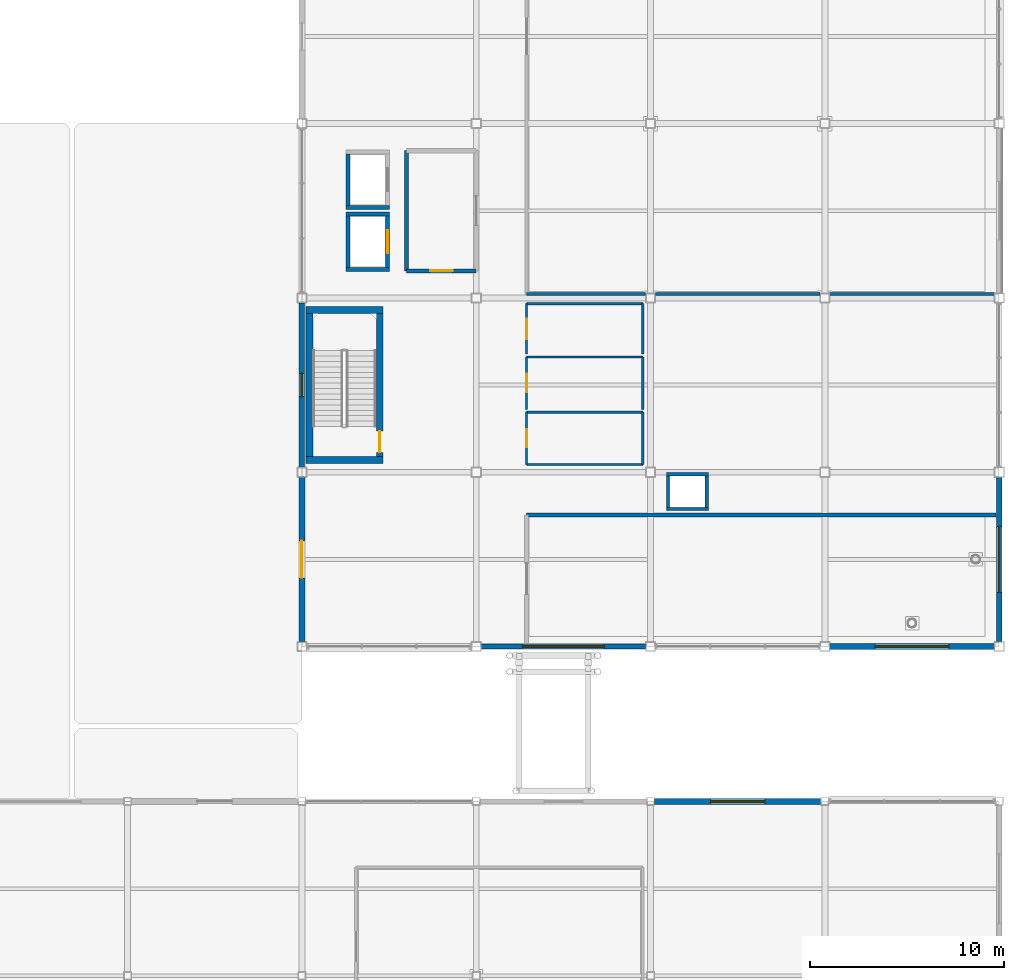
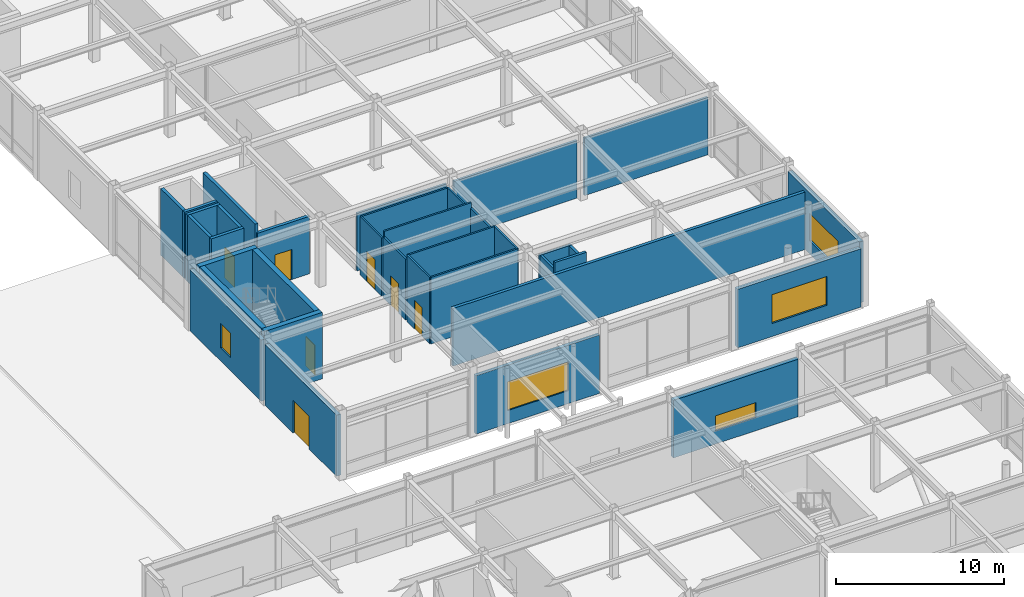
# One storey, part 92 of 123: 36 walls, 7 doors, 5 windows, 12 openings.
"""IFC4 building model written with IfcOpenShell, lengths in metres."""

from ifc_helpers import new_model, si_unit, direction, frame, frame_2d, origin, place, context, subcontext, project, spatial, rectangle, extrude, material, layer, layer_set, type_object, element, fill, save


model = new_model("IFC4")

# Units and contexts
model_context = context("Model", 3, precision=1e-05, world=origin(), true_north=direction((0.0, 1.0)))
body_context = subcontext(model_context, "Body", "Model", "MODEL_VIEW")
ifc_project = project(units=[si_unit("LENGTHUNIT", "METRE"), si_unit("AREAUNIT", "SQUARE_METRE"), si_unit("VOLUMEUNIT", "CUBIC_METRE"), si_unit("PLANEANGLEUNIT", "RADIAN"), si_unit("MASSUNIT", "GRAM", prefix="KILO")], contexts=[model_context])

# Site, building, storey
site_placement = place(None, origin())
site = spatial("IfcSite", under=ifc_project, at=site_placement, CompositionType="ELEMENT")
building_placement = place(site_placement, origin())
building = spatial("IfcBuilding", under=site, at=building_placement, Name="Suzunagisa Mobility Hub", CompositionType="ELEMENT")
storey_placement = place(building_placement, origin())
storey = spatial("IfcBuildingStorey", under=building, at=storey_placement, Name="L00", CompositionType="ELEMENT", Elevation=0.0)

# Wall, opening, window
ifc_material_1 = material(Name="Lightweight Insulated Autoclaved Concrete C30/37 Wall", Category="concrete")
ifc_layer_1 = layer(ifc_material_1, 0.239990234375)
ifc_layer_set_1 = layer_set([ifc_layer_1], Name="Lightweight Insulated Autoclaved Concrete C30/37 Wall")
wall_type_1 = type_object("IfcWallType", Name="Exterior Wall EW-04 240mm", PredefinedType="SOLIDWALL", material=ifc_layer_set_1)
wall_1_placement = place(storey_placement, frame((153.25, 44.0, 0.0), z_axis=(0.0, 0.0, 1.0), x_axis=(1.0, 0.0, 0.0)))
wall_1 = element("IfcWall", 1, at=wall_1_placement, inside=storey, type_object=wall_type_1, Name="L00 Exterior Facade Wall EW-347", PredefinedType="SOLIDWALL", context=body_context, shape_type="SweptSolid", body=[
    extrude(rectangle(XDim=8.5, YDim=0.239990234375, at=frame_2d((4.25, 0.0))), origin(), (0.0, 0.0, 1.0), 4.251953125),
])
opening_1_placement = place(wall_1_placement, frame((2.14990234375, 0.0, 0.949951171875)))
opening_1 = element("IfcOpeningElement", 2, at=opening_1_placement, cuts=wall_1, Name="Opening WN-16", PredefinedType="OPENING", context=body_context, shape_type="SweptSolid", body=[
    extrude(rectangle(XDim=4.199951171875, YDim=2.10009765625, at=frame_2d((2.10009765625, 1.050048828125))), frame((0.0, 0.130859375, 0.0), z_axis=(0.0, -1.0, 0.0), x_axis=(1.0, 0.0, 0.0)), (0.0, 0.0, 1.0), 0.261962890625),
])
ifc_material_2 = material(Name="Thermally Broken Anodized Aluminum and Low-E Double Glazing", Category="aluminium")
window_type_1 = type_object("IfcWindowType", Name="Aluminum Window WN-16 4200x2100", PartitioningType="SINGLE_PANEL", PredefinedType="WINDOW", material=ifc_material_2)
window_1_placement = place(opening_1_placement, origin())
window_1 = element("IfcWindow", 3, at=window_1_placement, inside=storey, type_object=window_type_1, Name="L00 Scheduled Facade Window WN-105", OverallHeight=2.10009765625, OverallWidth=4.199951171875, PartitioningType="SINGLE_PANEL", PredefinedType="WINDOW", context=body_context, shape_type="SweptSolid", body=[
    extrude(rectangle(XDim=4.199951171875, YDim=2.10009765625, at=frame_2d((2.10009765625, 1.050048828125))), frame((0.0, 0.030029296875, 0.0), z_axis=(0.0, -1.0, 0.0), x_axis=(1.0, 0.0, 0.0)), (0.0, 0.0, 1.0), 0.06005859375),
])
fill(opening_1, window_1)

ifc_material_3 = material(Name="Porcelain-Faced Insulated Concrete C30/37 Wall", Category="concrete")
ifc_layer_2 = layer(ifc_material_3, 0.280029296875)
ifc_layer_set_2 = layer_set([ifc_layer_2], Name="Porcelain-Faced Insulated Concrete C30/37 Wall")
wall_type_2 = type_object("IfcWallType", Name="Exterior Wall EW-08 280mm", PredefinedType="SOLIDWALL", material=ifc_layer_set_2)
wall_2_placement = place(storey_placement, frame((180.0, 44.25, 0.0), z_axis=(0.0, 0.0, 1.0), x_axis=(0.0, 1.0, 0.0)))
wall_2 = element("IfcWall", 4, at=wall_2_placement, inside=storey, type_object=wall_type_2, Name="L00 Exterior Facade Wall EW-349", PredefinedType="SOLIDWALL", context=body_context, shape_type="SweptSolid", body=[
    extrude(rectangle(XDim=8.5, YDim=0.280029296875, at=frame_2d((4.25, 0.0))), origin(), (0.0, 0.0, 1.0), 4.43994140625),
])
opening_2_placement = place(wall_2_placement, frame((2.550048828125, 0.0, 0.949951171875)))
opening_2 = element("IfcOpeningElement", 5, at=opening_2_placement, cuts=wall_2, Name="Opening WN-06", PredefinedType="OPENING", context=body_context, shape_type="SweptSolid", body=[
    extrude(rectangle(XDim=3.39990234375, YDim=2.0, at=frame_2d((1.699951171875, 1.0))), frame((0.0, 0.15087890625, 0.0), z_axis=(0.0, -1.0, 0.0), x_axis=(1.0, 0.0, 0.0)), (0.0, 0.0, 1.0), 0.302001953125),
])
window_type_2 = type_object("IfcWindowType", Name="Aluminum Window WN-06 3400x2000", PartitioningType="SINGLE_PANEL", PredefinedType="WINDOW", material=ifc_material_2)
window_2_placement = place(opening_2_placement, origin())
window_2 = element("IfcWindow", 6, at=window_2_placement, inside=storey, type_object=window_type_2, Name="L00 Scheduled Facade Window WN-107", OverallHeight=2.0, OverallWidth=3.39990234375, PartitioningType="SINGLE_PANEL", PredefinedType="WINDOW", context=body_context, shape_type="SweptSolid", body=[
    extrude(rectangle(XDim=3.39990234375, YDim=2.0, at=frame_2d((1.699951171875, 1.0))), frame((0.0, 0.030029296875, 0.0), z_axis=(0.0, -1.0, 0.0), x_axis=(1.0, 0.0, 0.0)), (0.0, 0.0, 1.0), 0.06005859375),
])
fill(opening_2, window_2)

wall_3_placement = place(storey_placement, frame((144.0, 61.75, 0.0), z_axis=(0.0, 0.0, 1.0), x_axis=(0.0, -1.0, 0.0)))
wall_3 = element("IfcWall", 7, at=wall_3_placement, inside=storey, type_object=wall_type_2, Name="L00 Exterior Facade Wall EW-357", PredefinedType="SOLIDWALL", context=body_context, shape_type="SweptSolid", body=[
    extrude(rectangle(XDim=8.5, YDim=0.280029296875, at=frame_2d((4.25, 0.0))), origin(), (0.0, 0.0, 1.0), 4.449951171875),
])
opening_3_placement = place(wall_3_placement, frame((3.64990234375, 0.0, 0.949951171875)))
opening_3 = element("IfcOpeningElement", 8, at=opening_3_placement, cuts=wall_3, Name="Opening WN-10", PredefinedType="OPENING", context=body_context, shape_type="SweptSolid", body=[
    extrude(rectangle(XDim=1.199951171875, YDim=1.800048828125, at=frame_2d((0.60009765625, 0.89990234375))), frame((0.0, 0.15087890625, 0.0), z_axis=(0.0, -1.0, 0.0), x_axis=(1.0, 0.0, 0.0)), (0.0, 0.0, 1.0), 0.302001953125),
])
window_type_3 = type_object("IfcWindowType", Name="Aluminum Window WN-10 1200x1800", PartitioningType="SINGLE_PANEL", PredefinedType="WINDOW", material=ifc_material_2)
window_3_placement = place(opening_3_placement, origin())
window_3 = element("IfcWindow", 9, at=window_3_placement, inside=storey, type_object=window_type_3, Name="L00 Scheduled Facade Window WN-114", OverallHeight=1.800048828125, OverallWidth=1.199951171875, PartitioningType="SINGLE_PANEL", PredefinedType="WINDOW", context=body_context, shape_type="SweptSolid", body=[
    extrude(rectangle(XDim=1.199951171875, YDim=1.800048828125, at=frame_2d((0.60009765625, 0.89990234375))), frame((0.0, 0.030029296875, 0.0), z_axis=(0.0, -1.0, 0.0), x_axis=(1.0, 0.0, 0.0)), (0.0, 0.0, 1.0), 0.06005859375),
])
fill(opening_3, window_3)

ifc_material_4 = material(Name="Insulated Precast Concrete C35/45 Panel", Category="concrete")
ifc_layer_3 = layer(ifc_material_4, 0.300048828125)
ifc_layer_set_3 = layer_set([ifc_layer_3], Name="Insulated Precast Concrete C35/45 Panel")
wall_type_3 = type_object("IfcWallType", Name="Exterior Wall EW-09 300mm", PredefinedType="SOLIDWALL", material=ifc_layer_set_3)
wall_4_placement = place(storey_placement, frame((170.800048828125, 36.0, 0.0), z_axis=(0.0, 0.0, 1.0), x_axis=(-1.0, 0.0, 0.0)))
wall_4 = element("IfcWall", 10, at=wall_4_placement, inside=storey, type_object=wall_type_3, Name="L00 Exterior Facade Wall EW-288", PredefinedType="SOLIDWALL", context=body_context, shape_type="SweptSolid", body=[
    extrude(rectangle(XDim=8.60009765625, YDim=0.300048828125, at=frame_2d((4.300048828125, 0.0))), origin(), (0.0, 0.0, 1.0), 4.18994140625),
])
opening_4_placement = place(wall_4_placement, frame((2.89990234375, 0.0, 0.949951171875)))
opening_4 = element("IfcOpeningElement", 11, at=opening_4_placement, cuts=wall_4, Name="Opening WN-01", PredefinedType="OPENING", context=body_context, shape_type="SweptSolid", body=[
    extrude(rectangle(XDim=2.800048828125, YDim=1.10009765625, at=frame_2d((1.39990234375, 0.550048828125))), frame((0.0, 0.1611328125, 0.0), z_axis=(0.0, -1.0, 0.0), x_axis=(1.0, 0.0, 0.0)), (0.0, 0.0, 1.0), 0.322021484375),
])
window_type_4 = type_object("IfcWindowType", Name="Aluminum Window WN-01 2800x1100", PartitioningType="SINGLE_PANEL", PredefinedType="WINDOW", material=ifc_material_2)
window_4_placement = place(opening_4_placement, origin())
window_4 = element("IfcWindow", 12, at=window_4_placement, inside=storey, type_object=window_type_4, Name="L00 Scheduled Facade Window WN-95", OverallHeight=1.10009765625, OverallWidth=2.800048828125, PartitioningType="SINGLE_PANEL", PredefinedType="WINDOW", context=body_context, shape_type="SweptSolid", body=[
    extrude(rectangle(XDim=2.800048828125, YDim=1.10009765625, at=frame_2d((1.39990234375, 0.550048828125))), frame((0.0, 0.030029296875, 0.0), z_axis=(0.0, -1.0, 0.0), x_axis=(1.0, 0.0, 0.0)), (0.0, 0.0, 1.0), 0.06005859375),
])
fill(opening_4, window_4)

wall_5_placement = place(storey_placement, frame((171.25, 44.0, 0.0), z_axis=(0.0, 0.0, 1.0), x_axis=(1.0, 0.0, 0.0)))
wall_5 = element("IfcWall", 13, at=wall_5_placement, inside=storey, type_object=wall_type_3, Name="L00 Exterior Facade Wall EW-348", PredefinedType="SOLIDWALL", context=body_context, shape_type="SweptSolid", body=[
    extrude(rectangle(XDim=8.5, YDim=0.300048828125, at=frame_2d((4.25, 0.0))), origin(), (0.0, 0.0, 1.0), 4.251953125),
])
opening_5_placement = place(wall_5_placement, frame((2.35009765625, 0.0, 0.949951171875)))
opening_5 = element("IfcOpeningElement", 14, at=opening_5_placement, cuts=wall_5, Name="Opening WN-18", PredefinedType="OPENING", context=body_context, shape_type="SweptSolid", body=[
    extrude(rectangle(XDim=3.800048828125, YDim=2.10009765625, at=frame_2d((1.89990234375, 1.050048828125))), frame((0.0, 0.1611328125, 0.0), z_axis=(0.0, -1.0, 0.0), x_axis=(1.0, 0.0, 0.0)), (0.0, 0.0, 1.0), 0.322021484375),
])
window_type_5 = type_object("IfcWindowType", Name="Aluminum Window WN-18 3800x2100", PartitioningType="SINGLE_PANEL", PredefinedType="WINDOW", material=ifc_material_2)
window_5_placement = place(opening_5_placement, origin())
window_5 = element("IfcWindow", 15, at=window_5_placement, inside=storey, type_object=window_type_5, Name="L00 Scheduled Facade Window WN-106", OverallHeight=2.10009765625, OverallWidth=3.800048828125, PartitioningType="SINGLE_PANEL", PredefinedType="WINDOW", context=body_context, shape_type="SweptSolid", body=[
    extrude(rectangle(XDim=3.800048828125, YDim=2.10009765625, at=frame_2d((1.89990234375, 1.050048828125))), frame((0.0, 0.030029296875, 0.0), z_axis=(0.0, -1.0, 0.0), x_axis=(1.0, 0.0, 0.0)), (0.0, 0.0, 1.0), 0.06005859375),
])
fill(opening_5, window_5)

# Wall, opening, door
wall_6_placement = place(storey_placement, frame((144.0, 52.75, 0.0), z_axis=(0.0, 0.0, 1.0), x_axis=(0.0, -1.0, 0.0)))
wall_6 = element("IfcWall", 16, at=wall_6_placement, inside=storey, type_object=wall_type_3, Name="L00 Entrance Portal Wall 358", PredefinedType="SOLIDWALL", context=body_context, shape_type="SweptSolid", body=[
    extrude(rectangle(XDim=8.5, YDim=0.300048828125, at=frame_2d((4.25, 0.0))), origin(), (0.0, 0.0, 1.0), 4.43994140625),
])
opening_6_placement = place(wall_6_placement, frame((5.199951171875, 0.0, 0.0), z_axis=(0.0, 0.0, 1.0), x_axis=(-1.0, 0.0, 0.0)))
opening_6 = element("IfcOpeningElement", 17, at=opening_6_placement, cuts=wall_6, Name="Opening ED-07", PredefinedType="OPENING", context=body_context, shape_type="SweptSolid", body=[
    extrude(rectangle(XDim=1.89990234375, YDim=2.39990234375, at=frame_2d((0.949951171875, 1.199951171875))), frame((0.0, 0.1611328125, 0.0), z_axis=(0.0, -1.0, 0.0), x_axis=(1.0, 0.0, 0.0)), (0.0, 0.0, 1.0), 0.322021484375),
])
ifc_material_5 = material(Name="Anodized Aluminum and Tempered Safety Glass", Category="aluminium")
door_type_1 = type_object("IfcDoorType", Name="Exterior Glazed Aluminum Door ED-07 1900x2400", OperationType="DOUBLE_DOOR_SINGLE_SWING", PredefinedType="DOOR", material=ifc_material_5)
door_1_placement = place(opening_6_placement, origin())
door_1 = element("IfcDoor", 18, at=door_1_placement, inside=storey, type_object=door_type_1, Name="L00 Pedestrian Final Exit Door EX-36", OperationType="SINGLE_SWING_LEFT", OverallHeight=2.39990234375, OverallWidth=1.89990234375, PredefinedType="DOOR", context=body_context, shape_type="SweptSolid", body=[
    extrude(rectangle(XDim=1.89990234375, YDim=2.39990234375, at=frame_2d((0.949951171875, 1.199951171875))), frame((0.0, 0.02490234375, 0.0), z_axis=(0.0, -1.0, 0.0), x_axis=(1.0, 0.0, 0.0)), (0.0, 0.0, 1.0), 0.050048828125),
])
fill(opening_6, door_1)

# Walls
ifc_material_6 = material(Name="Moisture-Resistant Gypsum Partition", Category="gypsum")
ifc_layer_4 = layer(ifc_material_6, 0.1201171875)
ifc_layer_set_4 = layer_set([ifc_layer_4], Name="Moisture-Resistant Gypsum Partition")
wall_type_4 = type_object("IfcWallType", Name="Interior Wall IW-02 120mm", PredefinedType="PARTITIONING", material=ifc_layer_set_4)
for number, where, z_axis, x_axis, name in (
    (19, (155.60009765625, 53.39990234375, 0.0), (0.0, 0.0, 1.0), (1.0, 0.0, 0.0), "L00 Male Restroom WC L00 Partition PW-575"),
    (20, (155.60009765625, 56.10009765625, 0.0), (0.0, 0.0, 1.0), (1.0, 0.0, 0.0), "L00 Male Restroom WC L00 Partition PW-576"),
):
    element("IfcWall", number, at=place(storey_placement, frame(where, z_axis=z_axis, x_axis=x_axis)), inside=storey, type_object=wall_type_4, Name=name, PredefinedType="PARTITIONING", context=body_context, shape_type="SweptSolid", body=[
        extrude(rectangle(XDim=6.0, YDim=0.1201171875, at=frame_2d((3.0, 0.0))), origin(), (0.0, 0.0, 1.0), 4.840087890625),
    ])

# Wall, opening, door
wall_7_placement = place(storey_placement, frame((155.60009765625, 53.39990234375, 0.0), z_axis=(0.0, 0.0, 1.0), x_axis=(0.0, 1.0, 0.0)))
wall_7 = element("IfcWall", 21, at=wall_7_placement, inside=storey, type_object=wall_type_4, Name="L00 Male Restroom WC L00 Partition PW-577", PredefinedType="PARTITIONING", context=body_context, shape_type="SweptSolid", body=[
    extrude(rectangle(XDim=2.7001953125, YDim=0.1201171875, at=frame_2d((1.35009765625, 0.0))), origin(), (0.0, 0.0, 1.0), 4.840087890625),
])
opening_7_placement = place(wall_7_placement, frame((0.889892578125, 0.0, 0.0)))
opening_7 = element("IfcOpeningElement", 22, at=opening_7_placement, cuts=wall_7, Name="Opening DR-02", PredefinedType="OPENING", context=body_context, shape_type="SweptSolid", body=[
    extrude(rectangle(XDim=0.919921875, YDim=2.10009765625, at=frame_2d((0.4599609375, 1.050048828125))), frame((0.0, 0.071044921875, 0.0), z_axis=(0.0, -1.0, 0.0), x_axis=(1.0, 0.0, 0.0)), (0.0, 0.0, 1.0), 0.14208984375),
])
ifc_material_7 = material(Name="Sanitary Restroom Laminate Door")
door_type_2 = type_object("IfcDoorType", Name="Interior Door DR-02 920x2100", OperationType="SINGLE_SWING_LEFT", PredefinedType="DOOR", material=ifc_material_7)
door_2_placement = place(opening_7_placement, origin())
door_2 = element("IfcDoor", 23, at=door_2_placement, inside=storey, type_object=door_type_2, Name="L00 Male Restroom WC L00 Door DR-140", OperationType="SINGLE_SWING_LEFT", OverallHeight=2.10009765625, OverallWidth=0.919921875, PredefinedType="DOOR", context=body_context, shape_type="SweptSolid", body=[
    extrude(rectangle(XDim=0.919921875, YDim=2.10009765625, at=frame_2d((0.4599609375, 1.050048828125))), frame((0.0, 0.02490234375, 0.0), z_axis=(0.0, -1.0, 0.0), x_axis=(1.0, 0.0, 0.0)), (0.0, 0.0, 1.0), 0.050048828125),
])
fill(opening_7, door_2)

# Walls
wall_8_placement = place(storey_placement, frame((161.60009765625, 53.39990234375, 0.0), z_axis=(0.0, 0.0, 1.0), x_axis=(0.0, 1.0, 0.0)))
element("IfcWall", 24, at=wall_8_placement, inside=storey, type_object=wall_type_4, Name="L00 Male Restroom WC L00 Partition PW-578", PredefinedType="PARTITIONING", context=body_context, shape_type="SweptSolid", body=[
    extrude(rectangle(XDim=2.7001953125, YDim=0.1201171875, at=frame_2d((1.35009765625, 0.0))), origin(), (0.0, 0.0, 1.0), 4.840087890625),
])
wall_9_placement = place(storey_placement, frame((155.60009765625, 58.949951171875, 0.0), z_axis=(0.0, 0.0, 1.0), x_axis=(1.0, 0.0, 0.0)))
element("IfcWall", 25, at=wall_9_placement, inside=storey, type_object=wall_type_4, Name="L00 Female Restroom WC L00 Partition PW-579", PredefinedType="PARTITIONING", context=body_context, shape_type="SweptSolid", body=[
    extrude(rectangle(XDim=6.0, YDim=0.1201171875, at=frame_2d((3.0, 0.0))), origin(), (0.0, 0.0, 1.0), 4.840087890625),
])

# Wall, opening, door
wall_10_placement = place(storey_placement, frame((155.60009765625, 56.25, 0.0), z_axis=(0.0, 0.0, 1.0), x_axis=(0.0, 1.0, 0.0)))
wall_10 = element("IfcWall", 26, at=wall_10_placement, inside=storey, type_object=wall_type_4, Name="L00 Female Restroom WC L00 Partition PW-580", PredefinedType="PARTITIONING", context=body_context, shape_type="SweptSolid", body=[
    extrude(rectangle(XDim=2.699951171875, YDim=0.1201171875, at=frame_2d((1.35009765625, 0.0))), origin(), (0.0, 0.0, 1.0), 4.43994140625),
])
opening_8_placement = place(wall_10_placement, frame((0.875, 0.0, 0.0)))
opening_8 = element("IfcOpeningElement", 27, at=opening_8_placement, cuts=wall_10, Name="Opening DR-19", PredefinedType="OPENING", context=body_context, shape_type="SweptSolid", body=[
    extrude(rectangle(XDim=0.949951171875, YDim=2.14990234375, at=frame_2d((0.47509765625, 1.074951171875))), frame((0.0, 0.071044921875, 0.0), z_axis=(0.0, -1.0, 0.0), x_axis=(1.0, 0.0, 0.0)), (0.0, 0.0, 1.0), 0.14208984375),
])
ifc_material_8 = material(Name="Sanitary Restroom Acoustic Door")
door_type_3 = type_object("IfcDoorType", Name="Interior Door DR-19 950x2150", OperationType="SINGLE_SWING_LEFT", PredefinedType="DOOR", material=ifc_material_8)
door_3_placement = place(opening_8_placement, origin())
door_3 = element("IfcDoor", 28, at=door_3_placement, inside=storey, type_object=door_type_3, Name="L00 Female Restroom WC L00 Door DR-141", OperationType="SINGLE_SWING_RIGHT", OverallHeight=2.14990234375, OverallWidth=0.949951171875, PredefinedType="DOOR", context=body_context, shape_type="SweptSolid", body=[
    extrude(rectangle(XDim=0.949951171875, YDim=2.14990234375, at=frame_2d((0.47509765625, 1.074951171875))), frame((0.0, 0.02490234375, 0.0), z_axis=(0.0, -1.0, 0.0), x_axis=(1.0, 0.0, 0.0)), (0.0, 0.0, 1.0), 0.050048828125),
])
fill(opening_8, door_3)

# Walls
wall_11_placement = place(storey_placement, frame((161.60009765625, 56.25, 0.0), z_axis=(0.0, 0.0, 1.0), x_axis=(0.0, 1.0, 0.0)))
element("IfcWall", 29, at=wall_11_placement, inside=storey, type_object=wall_type_4, Name="L00 Female Restroom WC L00 Partition PW-581", PredefinedType="PARTITIONING", context=body_context, shape_type="SweptSolid", body=[
    extrude(rectangle(XDim=2.699951171875, YDim=0.1201171875, at=frame_2d((1.35009765625, 0.0))), origin(), (0.0, 0.0, 1.0), 4.43994140625),
])
wall_12_placement = place(storey_placement, frame((155.60009765625, 61.699951171875, 0.0), z_axis=(0.0, 0.0, 1.0), x_axis=(1.0, 0.0, 0.0)))
element("IfcWall", 30, at=wall_12_placement, inside=storey, type_object=wall_type_4, Name="L00 Accessible Restroom WC L00 Partition PW-582", PredefinedType="PARTITIONING", context=body_context, shape_type="SweptSolid", body=[
    extrude(rectangle(XDim=6.0, YDim=0.1201171875, at=frame_2d((3.0, 0.0))), origin(), (0.0, 0.0, 1.0), 4.251953125),
])

# Wall, opening, door
wall_13_placement = place(storey_placement, frame((155.60009765625, 59.10009765625, 0.0), z_axis=(0.0, 0.0, 1.0), x_axis=(0.0, 1.0, 0.0)))
wall_13 = element("IfcWall", 31, at=wall_13_placement, inside=storey, type_object=wall_type_4, Name="L00 Accessible Restroom WC L00 Partition PW-583", PredefinedType="PARTITIONING", context=body_context, shape_type="SweptSolid", body=[
    extrude(rectangle(XDim=2.599853515625, YDim=0.1201171875, at=frame_2d((1.2998046875, 0.0))), origin(), (0.0, 0.0, 1.0), 4.251953125),
])
opening_9_placement = place(wall_13_placement, frame((0.77490234375, 0.0, 0.0)))
opening_9 = element("IfcOpeningElement", 32, at=opening_9_placement, cuts=wall_13, Name="Opening DR-16", PredefinedType="OPENING", context=body_context, shape_type="SweptSolid", body=[
    extrude(rectangle(XDim=1.050048828125, YDim=2.199951171875, at=frame_2d((0.52490234375, 1.10009765625))), frame((0.0, 0.071044921875, 0.0), z_axis=(0.0, -1.0, 0.0), x_axis=(1.0, 0.0, 0.0)), (0.0, 0.0, 1.0), 0.14208984375),
])
ifc_material_9 = material(Name="Barrier-Free Club Accessible WC Door")
door_type_4 = type_object("IfcDoorType", Name="Interior Door DR-16 1050x2200", OperationType="SINGLE_SWING_LEFT", PredefinedType="DOOR", material=ifc_material_9)
door_4_placement = place(opening_9_placement, origin())
door_4 = element("IfcDoor", 33, at=door_4_placement, inside=storey, type_object=door_type_4, Name="L00 Accessible Restroom WC L00 Door DR-142", OperationType="SINGLE_SWING_LEFT", OverallHeight=2.199951171875, OverallWidth=1.050048828125, PredefinedType="DOOR", context=body_context, shape_type="SweptSolid", body=[
    extrude(rectangle(XDim=1.050048828125, YDim=2.199951171875, at=frame_2d((0.52490234375, 1.10009765625))), frame((0.0, 0.02490234375, 0.0), z_axis=(0.0, -1.0, 0.0), x_axis=(1.0, 0.0, 0.0)), (0.0, 0.0, 1.0), 0.050048828125),
])
fill(opening_9, door_4)

# Wall
wall_14_placement = place(storey_placement, frame((161.60009765625, 59.10009765625, 0.0), z_axis=(0.0, 0.0, 1.0), x_axis=(0.0, 1.0, 0.0)))
element("IfcWall", 34, at=wall_14_placement, inside=storey, type_object=wall_type_4, Name="L00 Accessible Restroom WC L00 Partition PW-584", PredefinedType="PARTITIONING", context=body_context, shape_type="SweptSolid", body=[
    extrude(rectangle(XDim=2.599853515625, YDim=0.1201171875, at=frame_2d((1.2998046875, 0.0))), origin(), (0.0, 0.0, 1.0), 4.251953125),
])

# Wall, opening, door
ifc_material_10 = material(Name="Fire-Rated Gypsum Stud Partition", Category="gypsum")
ifc_layer_5 = layer(ifc_material_10, 0.2099609375)
ifc_layer_set_5 = layer_set([ifc_layer_5], Name="Fire-Rated Gypsum Stud Partition")
wall_type_5 = type_object("IfcWallType", Name="Interior Wall IW-03 210mm", PredefinedType="PARTITIONING", material=ifc_layer_set_5)
wall_15_placement = place(storey_placement, frame((148.425048828125, 63.580078125, 0.0), z_axis=(0.0, 0.0, 1.0), x_axis=(0.0, 1.0, 0.0)))
wall_15 = element("IfcWall", 35, at=wall_15_placement, inside=storey, type_object=wall_type_5, Name="L00 Lift LF-05 Shaft Front Wall", PredefinedType="PARTITIONING", context=body_context, shape_type="SweptSolid", body=[
    extrude(rectangle(XDim=2.639892578125, YDim=0.2099609375, at=frame_2d((1.31982421875, 0.0))), origin(), (0.0, 0.0, 1.0), 4.840087890625),
])
opening_10_placement = place(wall_15_placement, frame((0.719970703125, 0.0, 0.0)))
opening_10 = element("IfcOpeningElement", 36, at=opening_10_placement, cuts=wall_15, Name="Opening LD-03", PredefinedType="OPENING", context=body_context, shape_type="SweptSolid", body=[
    extrude(rectangle(XDim=1.199951171875, YDim=2.199951171875, at=frame_2d((0.60009765625, 1.10009765625))), frame((0.0, 0.115966796875, 0.0), z_axis=(0.0, -1.0, 0.0), x_axis=(1.0, 0.0, 0.0)), (0.0, 0.0, 1.0), 0.23193359375),
])
ifc_material_11 = material(Name="Brushed Stainless Steel SUS304", Category="metal")
door_type_5 = type_object("IfcDoorType", Name="Lift Landing Sliding Door LD-03 1200x2200", OperationType="SLIDING_TO_LEFT", PredefinedType="DOOR", material=ifc_material_11)
door_5_placement = place(opening_10_placement, origin())
door_5 = element("IfcDoor", 37, at=door_5_placement, inside=storey, type_object=door_type_5, Name="L00 Lift LF-05 Sliding Landing Door", OperationType="SLIDING_TO_LEFT", OverallHeight=2.199951171875, OverallWidth=1.199951171875, PredefinedType="DOOR", context=body_context, shape_type="SweptSolid", body=[
    extrude(rectangle(XDim=1.199951171875, YDim=2.199951171875, at=frame_2d((0.60009765625, 1.10009765625))), frame((0.0, 0.02490234375, 0.0), z_axis=(0.0, -1.0, 0.0), x_axis=(1.0, 0.0, 0.0)), (0.0, 0.0, 1.0), 0.050048828125),
])
fill(opening_10, door_5)

# Walls
wall_16_placement = place(storey_placement, frame((146.375, 63.580078125, 0.0), z_axis=(0.0, 0.0, 1.0), x_axis=(0.0, 1.0, 0.0)))
element("IfcWall", 38, at=wall_16_placement, inside=storey, type_object=wall_type_5, Name="L00 Lift LF-05 Shaft Back Wall", PredefinedType="PARTITIONING", context=body_context, shape_type="SweptSolid", body=[
    extrude(rectangle(XDim=2.639892578125, YDim=0.2099609375, at=frame_2d((1.31982421875, 0.0))), origin(), (0.0, 0.0, 1.0), 4.840087890625),
])
for number, where, z_axis, x_axis, name in (
    (39, (146.27001953125, 63.47509765625, 0.0), (0.0, 0.0, 1.0), (1.0, 0.0, 0.0), "L00 Lift LF-05 Shaft South Wall"),
    (40, (146.27001953125, 66.324951171875, 0.0), (0.0, 0.0, 1.0), (1.0, 0.0, 0.0), "L00 Lift LF-05 Shaft North Wall"),
):
    element("IfcWall", number, at=place(storey_placement, frame(where, z_axis=z_axis, x_axis=x_axis)), inside=storey, type_object=wall_type_5, Name=name, PredefinedType="PARTITIONING", context=body_context, shape_type="SweptSolid", body=[
        extrude(rectangle(XDim=2.260009765625, YDim=0.2099609375, at=frame_2d((1.1298828125, 0.0))), origin(), (0.0, 0.0, 1.0), 4.840087890625),
    ])
wall_17_placement = place(storey_placement, frame((146.375, 66.780029296875, 0.0), z_axis=(0.0, 0.0, 1.0), x_axis=(0.0, 1.0, 0.0)))
element("IfcWall", 41, at=wall_17_placement, inside=storey, type_object=wall_type_5, Name="L00 Lift LF-06 Shaft Back Wall", PredefinedType="PARTITIONING", context=body_context, shape_type="SweptSolid", body=[
    extrude(rectangle(XDim=2.639892578125, YDim=0.2099609375, at=frame_2d((1.31982421875, 0.0))), origin(), (0.0, 0.0, 1.0), 4.840087890625),
])
wall_18_placement = place(storey_placement, frame((146.27001953125, 66.675048828125, 0.0), z_axis=(0.0, 0.0, 1.0), x_axis=(1.0, 0.0, 0.0)))
element("IfcWall", 42, at=wall_18_placement, inside=storey, type_object=wall_type_5, Name="L00 Lift LF-06 Shaft South Wall", PredefinedType="PARTITIONING", context=body_context, shape_type="SweptSolid", body=[
    extrude(rectangle(XDim=2.260009765625, YDim=0.2099609375, at=frame_2d((1.1298828125, 0.0))), origin(), (0.0, 0.0, 1.0), 4.840087890625),
])

# Wall, opening, door
wall_19_placement = place(storey_placement, frame((149.39990234375, 63.39990234375, 0.0), z_axis=(0.0, 0.0, 1.0), x_axis=(1.0, 0.0, 0.0)))
wall_19 = element("IfcWall", 43, at=wall_19_placement, inside=storey, type_object=wall_type_5, Name="L00 Firefighting Lift Lobby L00 Partition PW-537", PredefinedType="PARTITIONING", context=body_context, shape_type="SweptSolid", body=[
    extrude(rectangle(XDim=3.60009765625, YDim=0.2099609375, at=frame_2d((1.800048828125, 0.0))), origin(), (0.0, 0.0, 1.0), 4.18994140625),
])
opening_11_placement = place(wall_19_placement, frame((1.22509765625, 0.0, 0.0)))
opening_11 = element("IfcOpeningElement", 44, at=opening_11_placement, cuts=wall_19, Name="Opening DR-20", PredefinedType="OPENING", context=body_context, shape_type="SweptSolid", body=[
    extrude(rectangle(XDim=1.14990234375, YDim=2.199951171875, at=frame_2d((0.574951171875, 1.10009765625))), frame((0.0, 0.115966796875, 0.0), z_axis=(0.0, -1.0, 0.0), x_axis=(1.0, 0.0, 0.0)), (0.0, 0.0, 1.0), 0.23193359375),
])
ifc_material_12 = material(Name="Fire-Rated Hollow Steel Stair Door", Category="steel")
door_type_6 = type_object("IfcDoorType", Name="Interior Door DR-20 1150x2200", OperationType="SINGLE_SWING_LEFT", PredefinedType="DOOR", material=ifc_material_12)
door_6_placement = place(opening_11_placement, origin())
door_6 = element("IfcDoor", 45, at=door_6_placement, inside=storey, type_object=door_type_6, Name="L00 Firefighting Lobby to Escape Stair Door SD-123", OperationType="SINGLE_SWING_RIGHT", OverallHeight=2.199951171875, OverallWidth=1.14990234375, PredefinedType="DOOR", context=body_context, shape_type="SweptSolid", body=[
    extrude(rectangle(XDim=1.14990234375, YDim=2.199951171875, at=frame_2d((0.574951171875, 1.10009765625))), frame((0.0, 0.02490234375, 0.0), z_axis=(0.0, -1.0, 0.0), x_axis=(1.0, 0.0, 0.0)), (0.0, 0.0, 1.0), 0.050048828125),
])
fill(opening_11, door_6)

# Walls
wall_20_placement = place(storey_placement, frame((149.39990234375, 63.39990234375, 0.0), z_axis=(0.0, 0.0, 1.0), x_axis=(0.0, 1.0, 0.0)))
element("IfcWall", 46, at=wall_20_placement, inside=storey, type_object=wall_type_5, Name="L00 Firefighting Lift Lobby L00 Partition PW-539", PredefinedType="PARTITIONING", context=body_context, shape_type="SweptSolid", body=[
    extrude(rectangle(XDim=6.2001953125, YDim=0.2099609375, at=frame_2d((3.10009765625, 0.0))), origin(), (0.0, 0.0, 1.0), 4.840087890625),
])
wall_21_placement = place(storey_placement, frame((155.60009765625, 50.800048828125, 0.0), z_axis=(0.0, 0.0, 1.0), x_axis=(1.0, 0.0, 0.0)))
element("IfcWall", 47, at=wall_21_placement, inside=storey, type_object=wall_type_5, Name="L00 Central Fire Command and Disaster Prevention Bosai Room Partition PW-750", PredefinedType="PARTITIONING", context=body_context, shape_type="SweptSolid", body=[
    extrude(rectangle(XDim=24.23486328125, YDim=0.2099609375, at=frame_2d((12.117431640625, 0.0))), origin(), (0.0, 0.0, 1.0), 4.18994140625),
])
ifc_material_13 = material(Name="Concrete C35/45", Category="concrete")
ifc_layer_6 = layer(ifc_material_13, 0.35009765625)
ifc_layer_set_6 = layer_set([ifc_layer_6], Name="Concrete C35/45")
wall_type_6 = type_object("IfcWallType", Name="Interior Wall IW-04 350mm", PredefinedType="SHEAR", material=ifc_layer_set_6)
for number, where, z_axis, x_axis, name in (
    (48, (144.2099609375, 53.625, 0.0), (0.0, 0.0, 1.0), (1.0, 0.0, 0.0), "L00 Core C5 Shear Wall SW-377"),
    (49, (144.2099609375, 61.375, 0.0), (0.0, 0.0, 1.0), (1.0, 0.0, 0.0), "L00 Core C5 Shear Wall SW-378"),
):
    element("IfcWall", number, at=place(storey_placement, frame(where, z_axis=z_axis, x_axis=x_axis)), inside=storey, type_object=wall_type_6, Name=name, PredefinedType="SHEAR", context=body_context, shape_type="SweptSolid", body=[
        extrude(rectangle(XDim=3.97998046875, YDim=0.35009765625, at=frame_2d((1.989990234375, 0.0))), origin(), (0.0, 0.0, 1.0), 4.840087890625),
    ])
wall_22_placement = place(storey_placement, frame((144.385009765625, 53.800048828125, 0.0), z_axis=(0.0, 0.0, 1.0), x_axis=(0.0, 1.0, 0.0)))
element("IfcWall", 50, at=wall_22_placement, inside=storey, type_object=wall_type_6, Name="L00 Core C5 Shear Wall SW-379", PredefinedType="SHEAR", context=body_context, shape_type="SweptSolid", body=[
    extrude(rectangle(XDim=7.39990234375, YDim=0.35009765625, at=frame_2d((3.699951171875, 0.0))), origin(), (0.0, 0.0, 1.0), 4.840087890625),
])

# Wall, opening, door
wall_23_placement = place(storey_placement, frame((148.014892578125, 53.800048828125, 0.0), z_axis=(0.0, 0.0, 1.0), x_axis=(0.0, 1.0, 0.0)))
wall_23 = element("IfcWall", 51, at=wall_23_placement, inside=storey, type_object=wall_type_6, Name="L00 Core C5 Shear Wall SW-380", PredefinedType="SHEAR", context=body_context, shape_type="SweptSolid", body=[
    extrude(rectangle(XDim=7.39990234375, YDim=0.35009765625, at=frame_2d((3.699951171875, 0.0))), origin(), (0.0, 0.0, 1.0), 4.840087890625),
])
opening_12_placement = place(wall_23_placement, frame((0.219970703125, 0.0, 0.0)))
opening_12 = element("IfcOpeningElement", 52, at=opening_12_placement, cuts=wall_23, Name="Opening DR-05", PredefinedType="OPENING", context=body_context, shape_type="SweptSolid", body=[
    extrude(rectangle(XDim=1.10009765625, YDim=2.14990234375, at=frame_2d((0.550048828125, 1.074951171875))), frame((0.0, 0.18603515625, 0.0), z_axis=(0.0, -1.0, 0.0), x_axis=(1.0, 0.0, 0.0)), (0.0, 0.0, 1.0), 0.3720703125),
])
door_type_7 = type_object("IfcDoorType", Name="Interior Door DR-05 1100x2150", OperationType="SINGLE_SWING_LEFT", PredefinedType="DOOR", material=ifc_material_12)
door_7_placement = place(opening_12_placement, origin())
door_7 = element("IfcDoor", 53, at=door_7_placement, inside=storey, type_object=door_type_7, Name="L00 Core C5 Escape Stair Fire Door SD-92", OperationType="SINGLE_SWING_LEFT", OverallHeight=2.14990234375, OverallWidth=1.10009765625, PredefinedType="DOOR", context=body_context, shape_type="SweptSolid", body=[
    extrude(rectangle(XDim=1.10009765625, YDim=2.14990234375, at=frame_2d((0.550048828125, 1.074951171875))), frame((0.0, 0.02490234375, 0.0), z_axis=(0.0, -1.0, 0.0), x_axis=(1.0, 0.0, 0.0)), (0.0, 0.0, 1.0), 0.050048828125),
])
fill(opening_12, door_7)

# Walls
ifc_layer_7 = layer(ifc_material_10, 0.169921875)
ifc_layer_set_7 = layer_set([ifc_layer_7], Name="Fire-Rated Gypsum Stud Partition")
wall_type_7 = type_object("IfcWallType", Name="Interior Wall IW-05 170mm", PredefinedType="PARTITIONING", material=ifc_layer_set_7)
wall_24_placement = place(storey_placement, frame((162.81494140625, 51.10009765625, 0.0), z_axis=(0.0, 0.0, 1.0), x_axis=(1.0, 0.0, 0.0)))
element("IfcWall", 54, at=wall_24_placement, inside=storey, type_object=wall_type_7, Name="L00 MEP Service Riser Wall RW-505", PredefinedType="PARTITIONING", context=body_context, shape_type="SweptSolid", body=[
    extrude(rectangle(XDim=2.170166015625, YDim=0.169921875, at=frame_2d((1.0849609375, 0.0))), origin(), (0.0, 0.0, 1.0), 4.820068359375),
])
wall_25_placement = place(storey_placement, frame((162.81494140625, 52.89990234375, 0.0), z_axis=(0.0, 0.0, 1.0), x_axis=(1.0, 0.0, 0.0)))
element("IfcWall", 55, at=wall_25_placement, inside=storey, type_object=wall_type_7, Name="L00 MEP Service Riser Wall RW-506", PredefinedType="PARTITIONING", context=body_context, shape_type="SweptSolid", body=[
    extrude(rectangle(XDim=2.170166015625, YDim=0.169921875, at=frame_2d((1.0849609375, 0.0))), origin(), (0.0, 0.0, 1.0), 4.251953125),
])
for number, where, z_axis, x_axis, name in (
    (56, (162.89990234375, 51.18505859375, 0.0), (0.0, 0.0, 1.0), (0.0, 1.0, 0.0), "L00 MEP Service Riser Wall RW-507"),
    (57, (164.89990234375, 51.18505859375, 0.0), (0.0, 0.0, 1.0), (0.0, 1.0, 0.0), "L00 MEP Service Riser Wall RW-508"),
):
    element("IfcWall", number, at=place(storey_placement, frame(where, z_axis=z_axis, x_axis=x_axis)), inside=storey, type_object=wall_type_7, Name=name, PredefinedType="PARTITIONING", context=body_context, shape_type="SweptSolid", body=[
        extrude(rectangle(XDim=1.6298828125, YDim=0.169921875, at=frame_2d((0.81494140625, 0.0))), origin(), (0.0, 0.0, 1.0), 4.251953125),
    ])
ifc_material_14 = material(Name="Acoustic Steel-Stud Gypsum Partition", Category="steel")
ifc_layer_8 = layer(ifc_material_14, 0.14501953125)
ifc_layer_set_8 = layer_set([ifc_layer_8], Name="Acoustic Steel-Stud Gypsum Partition")
wall_type_8 = type_object("IfcWallType", Name="Interior Wall IW-06 145mm", PredefinedType="PARTITIONING", material=ifc_layer_set_8)
wall_26_placement = place(storey_placement, frame((155.60009765625, 62.199951171875, 0.0), z_axis=(0.0, 0.0, 1.0), x_axis=(1.0, 0.0, 0.0)))
element("IfcWall", 58, at=wall_26_placement, inside=storey, type_object=wall_type_8, Name="L00 Public Mobility Pass and Customer Service Centre Partition PW-752", PredefinedType="PARTITIONING", context=body_context, shape_type="SweptSolid", body=[
    extrude(rectangle(XDim=6.14990234375, YDim=0.14501953125, at=frame_2d((3.074951171875, 0.0))), origin(), (0.0, 0.0, 1.0), 4.18994140625),
])
for number, where, z_axis, x_axis, name in (
    (59, (162.25, 62.199951171875, 0.0), (0.0, 0.0, 1.0), (1.0, 0.0, 0.0), "L00 Public Mobility Pass and Customer Service Centre Partition PW-753"),
    (60, (171.25, 62.199951171875, 0.0), (0.0, 0.0, 1.0), (1.0, 0.0, 0.0), "L00 Public Mobility Pass and Customer Service Centre Partition PW-754"),
):
    element("IfcWall", number, at=place(storey_placement, frame(where, z_axis=z_axis, x_axis=x_axis)), inside=storey, type_object=wall_type_8, Name=name, PredefinedType="PARTITIONING", context=body_context, shape_type="SweptSolid", body=[
        extrude(rectangle(XDim=8.5, YDim=0.14501953125, at=frame_2d((4.25, 0.0))), origin(), (0.0, 0.0, 1.0), 4.18994140625),
    ])

save(model, "model.ifc")
